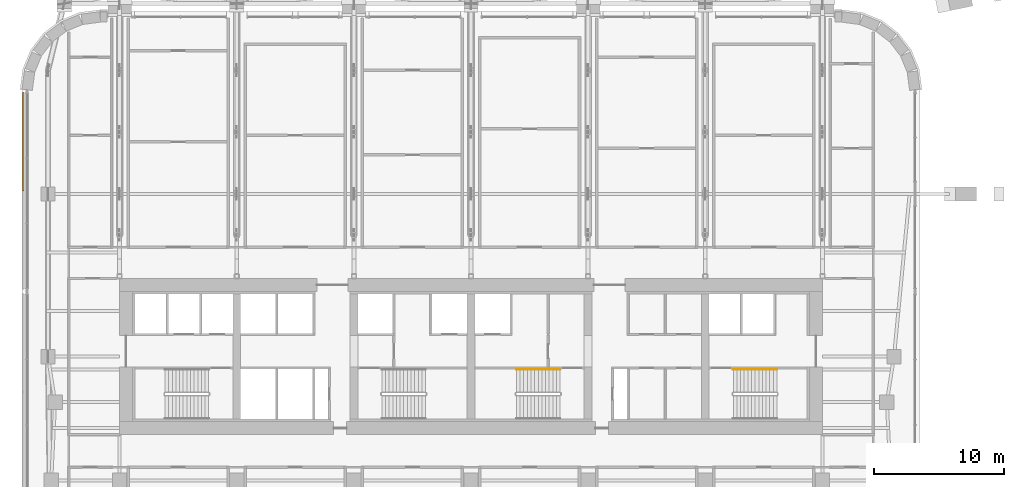
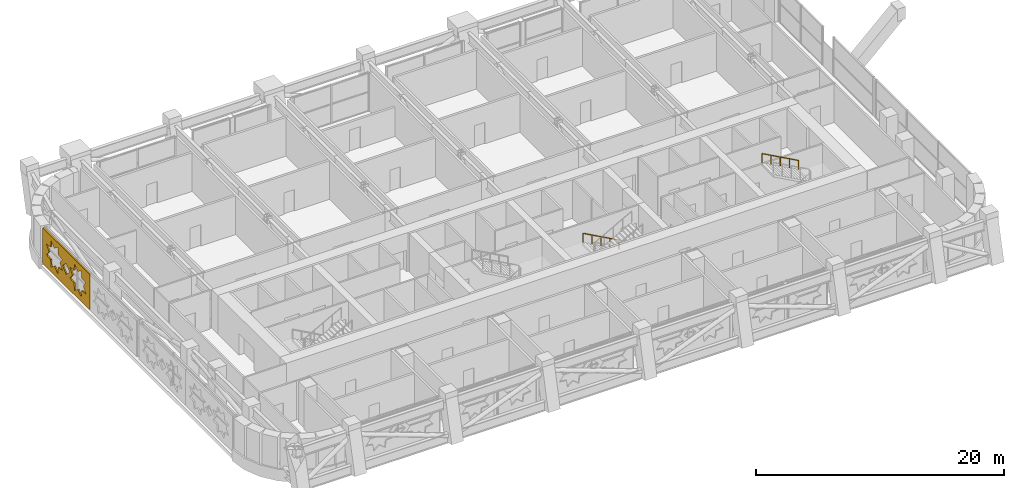
# One storey, part 22 of 27: 2 railings, 1 covering.
"""IFC4 building model written with IfcOpenShell, lengths in metres."""

from ifc_helpers import new_model, si_unit, direction, frame, origin, origin_2d, place, context, subcontext, project, spatial, polyline, circle, outline, extrude, material, layer, layer_set, type_object, element, save


model = new_model("IFC4")

# Units and contexts
model_context = context("Model", 3, precision=1e-05, world=origin(), true_north=direction((0.0, 1.0)))
body_context = subcontext(model_context, "Body", "Model", "MODEL_VIEW")
ifc_project = project(units=[si_unit("LENGTHUNIT", "METRE"), si_unit("AREAUNIT", "SQUARE_METRE"), si_unit("VOLUMEUNIT", "CUBIC_METRE"), si_unit("PLANEANGLEUNIT", "RADIAN"), si_unit("MASSUNIT", "GRAM", prefix="KILO")], contexts=[model_context])

# Site, building, storey
site_placement = place(None, origin())
site = spatial("IfcSite", under=ifc_project, at=site_placement, CompositionType="ELEMENT")
building_placement = place(site_placement, origin())
building = spatial("IfcBuilding", under=site, at=building_placement, Name="Zellij Exchange Tower", CompositionType="ELEMENT")
storey_placement = place(building_placement, frame((0.0, 0.0, 104.5)))
storey = spatial("IfcBuildingStorey", under=building, at=storey_placement, Name="L22", CompositionType="ELEMENT", Elevation=104.5)

# Railings
ifc_material_1 = material(Name="Stainless steel", Category="steel")
railing_type = type_object("IfcRailingType", Name="CORE-RH stair handrail", PredefinedType="HANDRAIL", material=ifc_material_1)
for number, where, name in (
    (1, (6.85009765625, -9.0, 0.15380859375), "ST3 stair handrail L22"),
    (2, (23.510009765625, -9.0, 2.15380859375), "ST4 stair handrail L22"),
):
    element("IfcRailing", number, at=place(storey_placement, frame(where)), inside=storey, type_object=railing_type, Name=name, PredefinedType="HANDRAIL", context=body_context, shape_type="SweptSolid", body=[
        extrude(circle(Radius=0.02392578125, at=origin_2d()), frame((0.0, 0.0, 0.8759765625), z_axis=(-0.876421534553, 0.0, 0.481544695509), x_axis=(0.0, -1.0, 0.0)), (0.0, 0.0, 1.0), 3.833984375),
        extrude(circle(Radius=0.02099609375, at=origin_2d()), origin(), (0.0, 0.0, 1.0), 0.851806640625),
        extrude(circle(Radius=0.02099609375, at=origin_2d()), frame((-0.840087890625, 0.0, 0.46142578125)), (0.0, 0.0, 1.0), 0.851806640625),
        extrude(circle(Radius=0.02099609375, at=origin_2d()), frame((-1.68017578125, 0.0, 0.923095703125)), (0.0, 0.0, 1.0), 0.851806640625),
        extrude(circle(Radius=0.02099609375, at=origin_2d()), frame((-2.52001953125, 0.0, 1.384765625)), (0.0, 0.0, 1.0), 0.851806640625),
        extrude(circle(Radius=0.02099609375, at=origin_2d()), frame((-3.360107421875, 0.0, 1.84619140625)), (0.0, 0.0, 1.0), 0.851806640625),
    ])

# Covering
ifc_material_2 = material(Name="Limestone screen", Category="masonry")
ifc_layer = layer(ifc_material_2, 0.1201171875)
ifc_layer_set = layer_set([ifc_layer], Name="Limestone screen")
covering_type = type_object("IfcCoveringType", Name="ENV-SC1 Pierced stone screen 120", PredefinedType="USERDEFINED", material=ifc_layer_set)
covering_placement = place(storey_placement, frame((-34.39990234375, 12.273681640625, 0.300048828125), z_axis=(0.0, 0.0, 1.0), x_axis=(0.0, -1.0, 0.0)))
element("IfcCovering", 3, at=covering_placement, inside=storey, type_object=covering_type, Name="Pierced stone screen", ObjectType="SCREEN", PredefinedType="USERDEFINED", context=body_context, shape_type="SweptSolid", body=[
    extrude(outline(polyline([(0.0, 0.0), (7.536865234375, 0.0), (7.536865234375, 3.5), (0.0, 3.5), (0.0, 0.0)]), holes=[polyline([(3.177734375, 2.285888671875), (2.498046875, 2.36376953125), (2.419921875, 3.04345703125), (1.88427734375, 2.617919921875), (1.348388671875, 3.04345703125), (1.2705078125, 2.36376953125), (0.5908203125, 2.285888671875), (1.01611328125, 1.75), (0.5908203125, 1.214111328125), (1.2705078125, 1.13623046875), (1.348388671875, 0.45654296875), (1.88427734375, 0.882080078125), (2.419921875, 0.45654296875), (2.498046875, 1.13623046875), (3.177734375, 1.214111328125), (2.752197265625, 1.75), (3.177734375, 2.285888671875)]), polyline([(6.946044921875, 2.285888671875), (6.266357421875, 2.36376953125), (6.1884765625, 3.04345703125), (5.652587890625, 2.617919921875), (5.116943359375, 3.04345703125), (5.038818359375, 2.36376953125), (4.359130859375, 2.285888671875), (4.78466796875, 1.75), (4.359130859375, 1.214111328125), (5.038818359375, 1.13623046875), (5.116943359375, 0.45654296875), (5.652587890625, 0.882080078125), (6.1884765625, 0.45654296875), (6.266357421875, 1.13623046875), (6.946044921875, 1.214111328125), (6.520751953125, 1.75), (6.946044921875, 2.285888671875)]), polyline([(4.32861328125, 1.75), (3.7685546875, 2.31005859375), (3.20849609375, 1.75), (3.7685546875, 1.18994140625), (4.32861328125, 1.75)])]), frame((0.0, 0.06005859375, 0.0), z_axis=(0.0, -1.0, 0.0), x_axis=(1.0, 0.0, 0.0)), (0.0, 0.0, 1.0), 0.1201171875),
])

save(model, "model.ifc")
